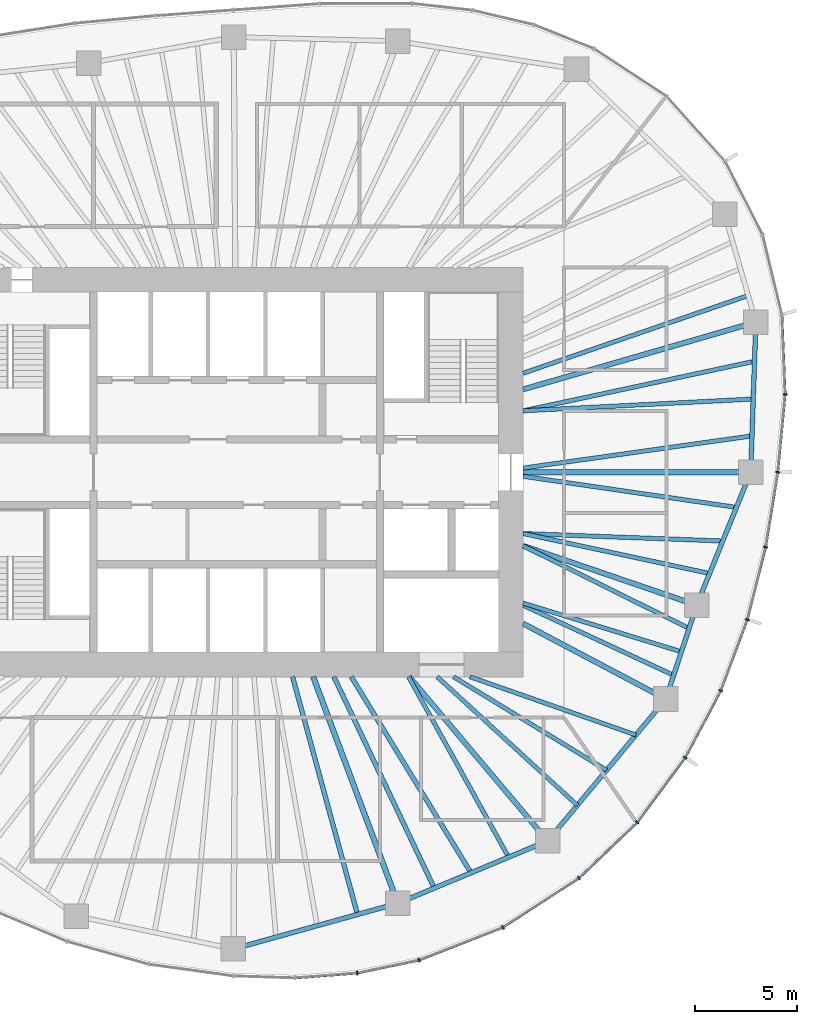
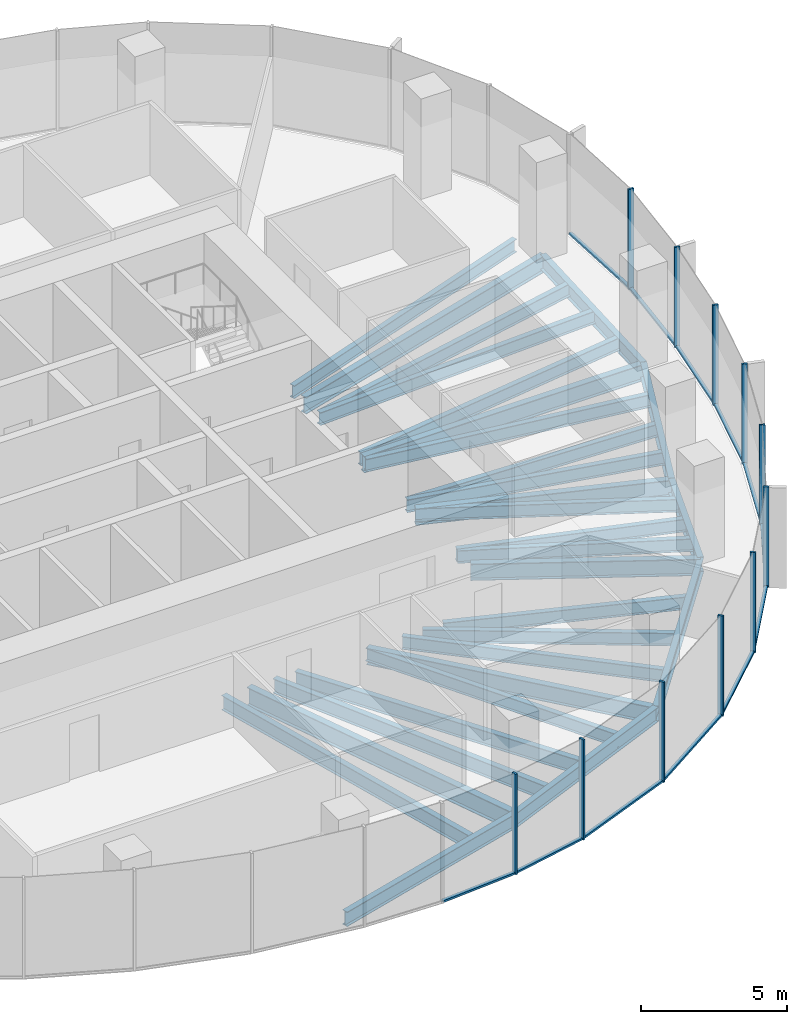
# One storey, part 4 of 11: 29 beams, 23 members, 6 elements without a shape of their own.
"""IFC4 building model written with IfcOpenShell, lengths in metres."""

from ifc_helpers import new_model, si_unit, direction, frame, origin, origin_2d, place, context, subcontext, project, spatial, rectangle, i_section, extrude, material, material_profile, profile_set, type_object, element, aggregate, save


model = new_model("IFC4")

# Units and contexts
model_context = context("Model", 3, precision=1e-05, world=origin(), true_north=direction((0.0, 1.0)))
body_context = subcontext(model_context, "Body", "Model", "MODEL_VIEW")
ifc_project = project(units=[si_unit("LENGTHUNIT", "METRE"), si_unit("AREAUNIT", "SQUARE_METRE"), si_unit("VOLUMEUNIT", "CUBIC_METRE"), si_unit("PLANEANGLEUNIT", "RADIAN"), si_unit("MASSUNIT", "GRAM", prefix="KILO")], contexts=[model_context])

# Site, building, storey
site_placement = place(None, origin())
site = spatial("IfcSite", under=ifc_project, at=site_placement, CompositionType="ELEMENT")
building_placement = place(site_placement, origin())
building = spatial("IfcBuilding", under=site, at=building_placement, Name="Ghaith Harvest Tower", CompositionType="ELEMENT")
storey_placement = place(building_placement, frame((0.0, 0.0, 245.199951171875)))
storey = spatial("IfcBuildingStorey", under=building, at=storey_placement, Name="L54", CompositionType="ELEMENT", Elevation=245.199951171875)

# Curtain wall, members
ifc_material_1 = material(Name="Black anodised aluminium and fritted glass", Category="aluminium")
curtain_wall_type = type_object("IfcCurtainWallType", Name="CW-H CURTAIN WALL", PredefinedType="NOTDEFINED", material=ifc_material_1)
curtain_wall_1_placement = place(storey_placement, origin())
curtain_wall_1 = element("IfcCurtainWall", 1, at=curtain_wall_1_placement, inside=storey, type_object=curtain_wall_type, Name="Curtain wall CW-H bay 01 L54", PredefinedType="NOTDEFINED")
ifc_material_2 = material(Name="Aluminium, black anodised", Category="aluminium")
ifc_material_profile_1 = material_profile(ifc_material_2, rectangle(XDim=0.080078125, YDim=0.199951171875, at=origin_2d()), Name="CW-H MULLION 80x200")
ifc_profile_set_1 = profile_set([ifc_material_profile_1], Name="Aluminium, black anodised")
member_type_1 = type_object("IfcMemberType", Name="CW-H MULLION 80x200", PredefinedType="MULLION", material=ifc_profile_set_1)
member_1_placement = place(storey_placement, frame((26.445068359375, 0.0, 0.0), z_axis=(0.0, 0.0, 1.0), x_axis=(0.126567624553, 0.991957981174, 0.0)))
member_1 = element("IfcMember", 2, at=member_1_placement, type_object=member_type_1, Name="CW-H mullion 1 bay 01 L54", PredefinedType="MULLION", context=body_context, shape_type="SweptSolid", body=[
    extrude(rectangle(XDim=0.080078125, YDim=0.199951171875, at=origin_2d()), origin(), (0.0, 0.0, 1.0), 4.199951171875),
])
member_2_placement = place(storey_placement, frame((26.804443359375, 3.7958984375, 0.0), z_axis=(0.0, 0.0, 1.0), x_axis=(0.026142797814, 0.999658218654, 0.0)))
member_2 = element("IfcMember", 3, at=member_2_placement, type_object=member_type_1, Name="CW-H mullion 2 bay 01 L54", PredefinedType="MULLION", context=body_context, shape_type="SweptSolid", body=[
    extrude(rectangle(XDim=0.080078125, YDim=0.199951171875, at=origin_2d()), origin(), (0.0, 0.0, 1.0), 4.199951171875),
])

# Curtain wall, member
curtain_wall_2_placement = place(storey_placement, origin())
curtain_wall_2 = element("IfcCurtainWall", 4, at=curtain_wall_2_placement, inside=storey, type_object=curtain_wall_type, Name="Curtain wall CW-H bay 16 L54", PredefinedType="NOTDEFINED")
member_3_placement = place(storey_placement, frame((5.893310546875, -24.48291015625, 0.0), z_axis=(0.0, 0.0, 1.0), x_axis=(0.989849191496, 0.142121701704, 0.0)))
member_3 = element("IfcMember", 5, at=member_3_placement, type_object=member_type_1, Name="CW-H mullion 3 bay 16 L54", PredefinedType="MULLION", context=body_context, shape_type="SweptSolid", body=[
    extrude(rectangle(XDim=0.080078125, YDim=0.199951171875, at=origin_2d()), origin(), (0.0, 0.0, 1.0), 4.199951171875),
])

# Curtain wall, members
curtain_wall_3_placement = place(storey_placement, origin())
curtain_wall_3 = element("IfcCurtainWall", 6, at=curtain_wall_3_placement, inside=storey, type_object=curtain_wall_type, Name="Curtain wall CW-H bay 17 L54", PredefinedType="NOTDEFINED")
member_4_placement = place(storey_placement, frame((8.916015625, -23.85009765625, 0.0), z_axis=(0.0, 0.0, 1.0), x_axis=(0.954029934434, 0.299711334793, 0.0)))
member_4 = element("IfcMember", 7, at=member_4_placement, type_object=member_type_1, Name="CW-H mullion 1 bay 17 L54", PredefinedType="MULLION", context=body_context, shape_type="SweptSolid", body=[
    extrude(rectangle(XDim=0.080078125, YDim=0.199951171875, at=origin_2d()), origin(), (0.0, 0.0, 1.0), 4.199951171875),
])
member_5_placement = place(storey_placement, frame((13.010009765625, -22.2470703125, 0.0), z_axis=(0.0, 0.0, 1.0), x_axis=(0.889568363425, 0.456802065225, 0.0)))
member_5 = element("IfcMember", 8, at=member_5_placement, type_object=member_type_1, Name="CW-H mullion 2 bay 17 L54", PredefinedType="MULLION", context=body_context, shape_type="SweptSolid", body=[
    extrude(rectangle(XDim=0.080078125, YDim=0.199951171875, at=origin_2d()), origin(), (0.0, 0.0, 1.0), 4.199951171875),
])

curtain_wall_4_placement = place(storey_placement, origin())
curtain_wall_4 = element("IfcCurtainWall", 9, at=curtain_wall_4_placement, inside=storey, type_object=curtain_wall_type, Name="Curtain wall CW-H bay 18 L54", PredefinedType="NOTDEFINED")
member_6_placement = place(storey_placement, frame((16.72900390625, -19.838134765625, 0.0), z_axis=(0.0, 0.0, 1.0), x_axis=(0.78784554071, 0.615872879727, 0.0)))
member_6 = element("IfcMember", 10, at=member_6_placement, type_object=member_type_1, Name="CW-H mullion 1 bay 18 L54", PredefinedType="MULLION", context=body_context, shape_type="SweptSolid", body=[
    extrude(rectangle(XDim=0.080078125, YDim=0.199951171875, at=origin_2d()), origin(), (0.0, 0.0, 1.0), 4.199951171875),
])
member_7_placement = place(storey_placement, frame((19.57421875, -17.11572265625, 0.0), z_axis=(0.0, 0.0, 1.0), x_axis=(0.661614965695, 0.749843741835, 0.0)))
member_7 = element("IfcMember", 11, at=member_7_placement, type_object=member_type_1, Name="CW-H mullion 2 bay 18 L54", PredefinedType="MULLION", context=body_context, shape_type="SweptSolid", body=[
    extrude(rectangle(XDim=0.080078125, YDim=0.199951171875, at=origin_2d()), origin(), (0.0, 0.0, 1.0), 4.199951171875),
])

curtain_wall_5_placement = place(storey_placement, origin())
curtain_wall_5 = element("IfcCurtainWall", 12, at=curtain_wall_5_placement, inside=storey, type_object=curtain_wall_type, Name="Curtain wall CW-H bay 19 L54", PredefinedType="NOTDEFINED")
member_8_placement = place(storey_placement, frame((21.922607421875, -13.951904296875, 0.0), z_axis=(0.0, 0.0, 1.0), x_axis=(0.535827198032, 0.844327669717, 0.0)))
member_8 = element("IfcMember", 13, at=member_8_placement, type_object=member_type_1, Name="CW-H mullion 1 bay 19 L54", PredefinedType="MULLION", context=body_context, shape_type="SweptSolid", body=[
    extrude(rectangle(XDim=0.080078125, YDim=0.199951171875, at=origin_2d()), origin(), (0.0, 0.0, 1.0), 4.199951171875),
])
member_9_placement = place(storey_placement, frame((23.658203125, -10.680419921875, 0.0), z_axis=(0.0, 0.0, 1.0), x_axis=(0.410429862351, 0.911892169114, 0.0)))
member_9 = element("IfcMember", 14, at=member_9_placement, type_object=member_type_1, Name="CW-H mullion 2 bay 19 L54", PredefinedType="MULLION", context=body_context, shape_type="SweptSolid", body=[
    extrude(rectangle(XDim=0.080078125, YDim=0.199951171875, at=origin_2d()), origin(), (0.0, 0.0, 1.0), 4.199951171875),
])

curtain_wall_6_placement = place(storey_placement, origin())
curtain_wall_6 = element("IfcCurtainWall", 15, at=curtain_wall_6_placement, inside=storey, type_object=curtain_wall_type, Name="Curtain wall CW-H bay 20 L54", PredefinedType="NOTDEFINED")
member_10_placement = place(storey_placement, frame((24.955810546875, -7.212890625, 0.0), z_axis=(0.0, 0.0, 1.0), x_axis=(0.298441625478, 0.954427889462, 0.0)))
member_10 = element("IfcMember", 16, at=member_10_placement, type_object=member_type_1, Name="CW-H mullion 1 bay 20 L54", PredefinedType="MULLION", context=body_context, shape_type="SweptSolid", body=[
    extrude(rectangle(XDim=0.080078125, YDim=0.199951171875, at=origin_2d()), origin(), (0.0, 0.0, 1.0), 4.199951171875),
])
member_11_placement = place(storey_placement, frame((25.85302734375, -3.6611328125, 0.0), z_axis=(0.0, 0.0, 1.0), x_axis=(0.202192370647, 0.979345825157, 0.0)))
member_11 = element("IfcMember", 17, at=member_11_placement, type_object=member_type_1, Name="CW-H mullion 2 bay 20 L54", PredefinedType="MULLION", context=body_context, shape_type="SweptSolid", body=[
    extrude(rectangle(XDim=0.080078125, YDim=0.199951171875, at=origin_2d()), origin(), (0.0, 0.0, 1.0), 4.199951171875),
])

# Member
ifc_material_3 = material(Name="Aluminium, black anodised", Category="aluminium")
ifc_material_profile_2 = material_profile(ifc_material_3, rectangle(XDim=0.1298828125, YDim=0.080078125, at=origin_2d()), Name="CW-H TRANSOM 130x80")
ifc_profile_set_2 = profile_set([ifc_material_profile_2], Name="Aluminium, black anodised")
member_type_2 = type_object("IfcMemberType", Name="CW-H TRANSOM 130x80", PredefinedType="USERDEFINED", material=ifc_profile_set_2)
member_12_placement = place(storey_placement, frame((26.44873046875, 0.039794921875, 0.0400390625), z_axis=(0.094309089207, 0.995542965267, 0.0), x_axis=(-0.995542965267, 0.094309089207, 0.0)))
member_12 = element("IfcMember", 18, at=member_12_placement, type_object=member_type_2, Name="CW-H transom 1 bay 01 L54", ObjectType="TRANSOM", PredefinedType="USERDEFINED", context=body_context, shape_type="SweptSolid", body=[
    extrude(rectangle(XDim=0.1298828125, YDim=0.080078125, at=origin_2d()), origin(), (0.0, 0.0, 1.0), 3.73291015625),
])

member_13_placement = place(storey_placement, frame((26.802978515625, 3.8359375, 0.0400390625), z_axis=(-0.040492641284, 0.999179836667, 0.0), x_axis=(-0.999179836667, -0.040492641284, 0.0)))
member_13 = element("IfcMember", 19, at=member_13_placement, type_object=member_type_2, Name="CW-H transom 2 bay 01 L54", ObjectType="TRANSOM", PredefinedType="USERDEFINED", context=body_context, shape_type="SweptSolid", body=[
    extrude(rectangle(XDim=0.1298828125, YDim=0.080078125, at=origin_2d()), origin(), (0.0, 0.0, 1.0), 3.82861328125),
])

aggregate(curtain_wall_1, [member_1, member_12, member_2, member_13])

member_14_placement = place(storey_placement, frame((2.8876953125, -24.71826171875, 0.0400390625), z_axis=(0.996949781933, 0.078045706505, 0.0), x_axis=(-0.078045706505, 0.996949781933, 0.0)))
member_14 = element("IfcMember", 20, at=member_14_placement, type_object=member_type_2, Name="CW-H transom 2 bay 16 L54", ObjectType="TRANSOM", PredefinedType="USERDEFINED", context=body_context, shape_type="SweptSolid", body=[
    extrude(rectangle(XDim=0.1298828125, YDim=0.080078125, at=origin_2d()), origin(), (0.0, 0.0, 1.0), 2.974853515625),
])

member_15_placement = place(storey_placement, frame((5.932373046875, -24.474609375, 0.0400390625), z_axis=(0.978797058213, 0.204832416461, 0.0), x_axis=(-0.204832416461, 0.978797058213, 0.0)))
member_15 = element("IfcMember", 21, at=member_15_placement, type_object=member_type_2, Name="CW-H transom 3 bay 16 L54", ObjectType="TRANSOM", PredefinedType="USERDEFINED", context=body_context, shape_type="SweptSolid", body=[
    extrude(rectangle(XDim=0.1298828125, YDim=0.080078125, at=origin_2d()), origin(), (0.0, 0.0, 1.0), 3.00830078125),
])

aggregate(curtain_wall_2, [member_14, member_3, member_15])

member_16_placement = place(storey_placement, frame((8.953369140625, -23.835693359375, 0.0400390625), z_axis=(0.931147615871, 0.364642451529, 0.0), x_axis=(-0.364642451529, 0.931147615871, 0.0)))
member_16 = element("IfcMember", 22, at=member_16_placement, type_object=member_type_2, Name="CW-H transom 1 bay 17 L54", ObjectType="TRANSOM", PredefinedType="USERDEFINED", context=body_context, shape_type="SweptSolid", body=[
    extrude(rectangle(XDim=0.1298828125, YDim=0.080078125, at=origin_2d()), origin(), (0.0, 0.0, 1.0), 4.31640625),
])

member_17_placement = place(storey_placement, frame((13.04345703125, -22.225341796875, 0.0400390625), z_axis=(0.839306610985, 0.543658360331, 0.0), x_axis=(-0.543658360331, 0.839306610985, 0.0)))
member_17 = element("IfcMember", 23, at=member_17_placement, type_object=member_type_2, Name="CW-H transom 2 bay 17 L54", ObjectType="TRANSOM", PredefinedType="USERDEFINED", context=body_context, shape_type="SweptSolid", body=[
    extrude(rectangle(XDim=0.1298828125, YDim=0.080078125, at=origin_2d()), origin(), (0.0, 0.0, 1.0), 4.35107421875),
])

aggregate(curtain_wall_3, [member_4, member_16, member_5, member_17])

member_18_placement = place(storey_placement, frame((16.7578125, -19.810546875, 0.0400390625), z_axis=(0.722533278657, 0.691336141998, 0.0), x_axis=(-0.691336141998, 0.722533278657, 0.0)))
member_18 = element("IfcMember", 24, at=member_18_placement, type_object=member_type_2, Name="CW-H transom 1 bay 18 L54", ObjectType="TRANSOM", PredefinedType="USERDEFINED", context=body_context, shape_type="SweptSolid", body=[
    extrude(rectangle(XDim=0.1298828125, YDim=0.080078125, at=origin_2d()), origin(), (0.0, 0.0, 1.0), 3.858154296875),
])

member_19_placement = place(storey_placement, frame((19.59814453125, -17.083740234375, 0.0400390625), z_axis=(0.595995597074, 0.802987701194, 0.0), x_axis=(-0.802987701194, 0.595995597074, 0.0)))
member_19 = element("IfcMember", 25, at=member_19_placement, type_object=member_type_2, Name="CW-H transom 2 bay 18 L54", ObjectType="TRANSOM", PredefinedType="USERDEFINED", context=body_context, shape_type="SweptSolid", body=[
    extrude(rectangle(XDim=0.1298828125, YDim=0.080078125, at=origin_2d()), origin(), (0.0, 0.0, 1.0), 3.8603515625),
])

aggregate(curtain_wall_4, [member_6, member_18, member_7, member_19])

member_20_placement = place(storey_placement, frame((21.94140625, -13.91650390625, 0.0400390625), z_axis=(0.468646057757, 0.883386026915, 0.0), x_axis=(-0.883386026915, 0.468646057757, 0.0)))
member_20 = element("IfcMember", 26, at=member_20_placement, type_object=member_type_2, Name="CW-H transom 1 bay 19 L54", ObjectType="TRANSOM", PredefinedType="USERDEFINED", context=body_context, shape_type="SweptSolid", body=[
    extrude(rectangle(XDim=0.1298828125, YDim=0.080078125, at=origin_2d()), origin(), (0.0, 0.0, 1.0), 3.623291015625),
])

member_21_placement = place(storey_placement, frame((23.672119140625, -10.64306640625, 0.0400390625), z_axis=(0.350510368091, 0.936558851253, 0.0), x_axis=(-0.936558851253, 0.350510368091, 0.0)))
member_21 = element("IfcMember", 27, at=member_21_placement, type_object=member_type_2, Name="CW-H transom 2 bay 19 L54", ObjectType="TRANSOM", PredefinedType="USERDEFINED", context=body_context, shape_type="SweptSolid", body=[
    extrude(rectangle(XDim=0.1298828125, YDim=0.080078125, at=origin_2d()), origin(), (0.0, 0.0, 1.0), 3.62255859375),
])

aggregate(curtain_wall_5, [member_8, member_20, member_9, member_21])

member_22_placement = place(storey_placement, frame((24.965576171875, -7.174072265625, 0.0400390625), z_axis=(0.244939588347, 0.969538342749, 0.0), x_axis=(-0.969538342749, 0.244939588347, 0.0)))
member_22 = element("IfcMember", 28, at=member_22_placement, type_object=member_type_2, Name="CW-H transom 1 bay 20 L54", ObjectType="TRANSOM", PredefinedType="USERDEFINED", context=body_context, shape_type="SweptSolid", body=[
    extrude(rectangle(XDim=0.1298828125, YDim=0.080078125, at=origin_2d()), origin(), (0.0, 0.0, 1.0), 3.583251953125),
])

member_23_placement = place(storey_placement, frame((25.859375, -3.62158203125, 0.0400390625), z_axis=(0.159661845696, 0.987171765717, 0.0), x_axis=(-0.987171765717, 0.159661845696, 0.0)))
member_23 = element("IfcMember", 29, at=member_23_placement, type_object=member_type_2, Name="CW-H transom 2 bay 20 L54", ObjectType="TRANSOM", PredefinedType="USERDEFINED", context=body_context, shape_type="SweptSolid", body=[
    extrude(rectangle(XDim=0.1298828125, YDim=0.080078125, at=origin_2d()), origin(), (0.0, 0.0, 1.0), 3.628662109375),
])

aggregate(curtain_wall_6, [member_10, member_22, member_11, member_23])

# Beams
ifc_material_4 = material(Name="Steel ASTM A992 Grade 50", Category="steel")
ifc_material_profile_3 = material_profile(ifc_material_4, i_section(OverallWidth=0.22900390625, OverallDepth=0.612060546875, WebThickness=0.011962890625, FlangeThickness=0.01953125, at=origin_2d()), Name="W610X125")
ifc_profile_set_3 = profile_set([ifc_material_profile_3], Name="Steel ASTM A992 Grade 50")
beam_type_1 = type_object("IfcBeamType", Name="E610-125 W610X125", PredefinedType="SPANDREL", material=ifc_profile_set_3)
beam_1_placement = place(storey_placement, frame((25.125, 0.0, -0.475830078125), z_axis=(0.03446227584, 0.999405999354, 0.0), x_axis=(-0.999405999354, 0.03446227584, 0.0)))
element("IfcBeam", 30, at=beam_1_placement, inside=storey, type_object=beam_type_1, Name="Edge beam E01 L54", PredefinedType="SPANDREL", context=body_context, shape_type="SweptSolid", body=[
    extrude(i_section(OverallWidth=0.22900390625, OverallDepth=0.612060546875, WebThickness=0.011962890625, FlangeThickness=0.01953125, at=origin_2d()), origin(), (0.0, 0.0, 1.0), 7.33935546875),
])
beam_2_placement = place(storey_placement, frame((-0.158935546875, -23.304931640625, -0.475830078125), z_axis=(0.963504070594, 0.267693679323, 0.0), x_axis=(-0.267693679323, 0.963504070594, 0.0)))
element("IfcBeam", 31, at=beam_2_placement, inside=storey, type_object=beam_type_1, Name="Edge beam E16 L54", PredefinedType="SPANDREL", context=body_context, shape_type="SweptSolid", body=[
    extrude(i_section(OverallWidth=0.22900390625, OverallDepth=0.612060546875, WebThickness=0.011962890625, FlangeThickness=0.01953125, at=origin_2d()), origin(), (0.0, 0.0, 1.0), 8.34130859375),
])
beam_3_placement = place(storey_placement, frame((7.8779296875, -21.072021484375, -0.475830078125), z_axis=(0.923119729219, 0.384512633766, 0.0), x_axis=(-0.384512633766, 0.923119729219, 0.0)))
element("IfcBeam", 32, at=beam_3_placement, inside=storey, type_object=beam_type_1, Name="Edge beam E17 L54", PredefinedType="SPANDREL", context=body_context, shape_type="SweptSolid", body=[
    extrude(i_section(OverallWidth=0.22900390625, OverallDepth=0.612060546875, WebThickness=0.011962890625, FlangeThickness=0.01953125, at=origin_2d()), origin(), (0.0, 0.0, 1.0), 7.9296875),
])
beam_4_placement = place(storey_placement, frame((15.197998046875, -18.02294921875, -0.475830078125), z_axis=(0.640173759088, 0.76823014662, 0.0), x_axis=(-0.76823014662, 0.640173759088, 0.0)))
element("IfcBeam", 33, at=beam_4_placement, inside=storey, type_object=beam_type_1, Name="Edge beam E18 L54", PredefinedType="SPANDREL", context=body_context, shape_type="SweptSolid", body=[
    extrude(i_section(OverallWidth=0.22900390625, OverallDepth=0.612060546875, WebThickness=0.011962890625, FlangeThickness=0.01953125, at=origin_2d()), origin(), (0.0, 0.0, 1.0), 9.02734375),
])
beam_5_placement = place(storey_placement, frame((20.97705078125, -11.087890625, -0.475830078125), z_axis=(0.312206727278, 0.950014189074, 0.0), x_axis=(-0.950014189074, 0.312206727278, 0.0)))
element("IfcBeam", 34, at=beam_5_placement, inside=storey, type_object=beam_type_1, Name="Edge beam E19 L54", PredefinedType="SPANDREL", context=body_context, shape_type="SweptSolid", body=[
    extrude(i_section(OverallWidth=0.22900390625, OverallDepth=0.612060546875, WebThickness=0.011962890625, FlangeThickness=0.01953125, at=origin_2d()), origin(), (0.0, 0.0, 1.0), 4.830322265625),
])
beam_6_placement = place(storey_placement, frame((22.485107421875, -6.4990234375, -0.475830078125), z_axis=(0.376335970246, 0.926483263475, 0.0), x_axis=(-0.926483263475, 0.376335970246, 0.0)))
element("IfcBeam", 35, at=beam_6_placement, inside=storey, type_object=beam_type_1, Name="Edge beam E20 L54", PredefinedType="SPANDREL", context=body_context, shape_type="SweptSolid", body=[
    extrude(i_section(OverallWidth=0.22900390625, OverallDepth=0.612060546875, WebThickness=0.011962890625, FlangeThickness=0.01953125, at=origin_2d()), origin(), (0.0, 0.0, 1.0), 7.0146484375),
])
ifc_material_5 = material(Name="Steel ASTM A992 Grade 50", Category="steel")
ifc_material_profile_4 = material_profile(ifc_material_5, i_section(OverallWidth=0.256103515625, OverallDepth=0.693115234375, WebThickness=0.014404296875, FlangeThickness=0.023681640625, at=origin_2d()), Name="W690X170")
ifc_profile_set_4 = profile_set([ifc_material_profile_4], Name="Steel ASTM A992 Grade 50")
beam_type_2 = type_object("IfcBeamType", Name="G690-170 W690X170", PredefinedType="BEAM", material=ifc_profile_set_4)
beam_7_placement = place(storey_placement, frame((14.0, 0.0, -0.516357421875), z_axis=(1.0, 0.0, 0.0), x_axis=(0.0, 1.0, 0.0)))
element("IfcBeam", 36, at=beam_7_placement, inside=storey, type_object=beam_type_2, Name="Radial girder G01 L54", PredefinedType="BEAM", context=body_context, shape_type="SweptSolid", body=[
    extrude(i_section(OverallWidth=0.256103515625, OverallDepth=0.693115234375, WebThickness=0.014404296875, FlangeThickness=0.023681640625, at=origin_2d()), origin(), (0.0, 0.0, 1.0), 11.125),
])
beam_8_placement = place(storey_placement, frame((14.0, 4.04638671875, -0.516357421875), z_axis=(0.960677776578, 0.277665643518, 0.0), x_axis=(-0.277665643518, 0.960677776578, 0.0)))
element("IfcBeam", 37, at=beam_8_placement, inside=storey, type_object=beam_type_2, Name="Radial girder G02 L54", PredefinedType="BEAM", context=body_context, shape_type="SweptSolid", body=[
    extrude(i_section(OverallWidth=0.256103515625, OverallDepth=0.693115234375, WebThickness=0.014404296875, FlangeThickness=0.023681640625, at=origin_2d()), origin(), (0.0, 0.0, 1.0), 11.84375),
])
beam_9_placement = place(storey_placement, frame((8.4326171875, -10.0, -0.516357421875), z_axis=(0.644649240595, -0.764478486682, 0.0), x_axis=(0.764478486682, 0.644649240595, 0.0)))
element("IfcBeam", 38, at=beam_9_placement, inside=storey, type_object=beam_type_2, Name="Radial girder G18 L54", PredefinedType="BEAM", context=body_context, shape_type="SweptSolid", body=[
    extrude(i_section(OverallWidth=0.256103515625, OverallDepth=0.693115234375, WebThickness=0.014404296875, FlangeThickness=0.023681640625, at=origin_2d()), origin(), (0.0, 0.0, 1.0), 10.49462890625),
])
beam_10_placement = place(storey_placement, frame((14.0, -7.39990234375, -0.516357421875), z_axis=(0.884088732293, -0.467319070264, 0.0), x_axis=(0.467319070264, 0.884088732293, 0.0)))
element("IfcBeam", 39, at=beam_10_placement, inside=storey, type_object=beam_type_2, Name="Radial girder G19 L54", PredefinedType="BEAM", context=body_context, shape_type="SweptSolid", body=[
    extrude(i_section(OverallWidth=0.256103515625, OverallDepth=0.693115234375, WebThickness=0.014404296875, FlangeThickness=0.023681640625, at=origin_2d()), origin(), (0.0, 0.0, 1.0), 7.891845703125),
])
beam_11_placement = place(storey_placement, frame((14.0, -3.60009765625, -0.516357421875), z_axis=(0.94629622913, -0.323300861018, 0.0), x_axis=(0.323300861018, 0.94629622913, 0.0)))
element("IfcBeam", 40, at=beam_11_placement, inside=storey, type_object=beam_type_2, Name="Radial girder G20 L54", PredefinedType="BEAM", context=body_context, shape_type="SweptSolid", body=[
    extrude(i_section(OverallWidth=0.256103515625, OverallDepth=0.693115234375, WebThickness=0.014404296875, FlangeThickness=0.023681640625, at=origin_2d()), origin(), (0.0, 0.0, 1.0), 8.966552734375),
])
ifc_material_6 = material(Name="Steel ASTM A992 Grade 50", Category="steel")
ifc_material_profile_5 = material_profile(ifc_material_6, i_section(OverallWidth=0.26806640625, OverallDepth=0.77001953125, WebThickness=0.015625, FlangeThickness=0.025390625, at=origin_2d()), Name="W760X196")
ifc_profile_set_5 = profile_set([ifc_material_profile_5], Name="Steel ASTM A992 Grade 50")
beam_type_3 = type_object("IfcBeamType", Name="G760-196 W760X196", PredefinedType="BEAM", material=ifc_profile_set_5)
beam_12_placement = place(storey_placement, frame((3.73828125, -10.0, -0.554931640625), z_axis=(0.350206582147, -0.936672488024, 0.0), x_axis=(0.936672488024, 0.350206582147, 0.0)))
element("IfcBeam", 41, at=beam_12_placement, inside=storey, type_object=beam_type_3, Name="Radial girder G17 L54", PredefinedType="BEAM", context=body_context, shape_type="SweptSolid", body=[
    extrude(i_section(OverallWidth=0.26806640625, OverallDepth=0.77001953125, WebThickness=0.015625, FlangeThickness=0.025390625, at=origin_2d()), origin(), (0.0, 0.0, 1.0), 11.820556640625),
])
ifc_material_7 = material(Name="Steel ASTM A992 Grade 50", Category="steel")
ifc_material_profile_6 = material_profile(ifc_material_7, i_section(OverallWidth=0.2109375, OverallDepth=0.5390625, WebThickness=0.01171875, FlangeThickness=0.018798828125, at=origin_2d()), Name="W530X109")
ifc_profile_set_6 = profile_set([ifc_material_profile_6], Name="Steel ASTM A992 Grade 50")
beam_type_4 = type_object("IfcBeamType", Name="J530-109 W530X109", PredefinedType="JOIST", material=ifc_profile_set_6)
beam_13_placement = place(storey_placement, frame((14.0, 0.199951171875, -0.439453125), z_axis=(0.990239574724, 0.139375696052, 0.0), x_axis=(-0.139375696052, 0.990239574724, 0.0)))
element("IfcBeam", 42, at=beam_13_placement, inside=storey, type_object=beam_type_4, Name="Joist J01.1 L54", PredefinedType="JOIST", context=body_context, shape_type="SweptSolid", body=[
    extrude(i_section(OverallWidth=0.2109375, OverallDepth=0.5390625, WebThickness=0.01171875, FlangeThickness=0.018798828125, at=origin_2d()), origin(), (0.0, 0.0, 1.0), 11.296630859375),
])
beam_14_placement = place(storey_placement, frame((14.0, 3.0, -0.439453125), z_axis=(0.998693995267, 0.051091132482, 0.0), x_axis=(-0.051091132482, 0.998693995267, 0.0)))
element("IfcBeam", 43, at=beam_14_placement, inside=storey, type_object=beam_type_4, Name="Joist J01.2 L54", PredefinedType="JOIST", context=body_context, shape_type="SweptSolid", body=[
    extrude(i_section(OverallWidth=0.2109375, OverallDepth=0.5390625, WebThickness=0.01171875, FlangeThickness=0.018798828125, at=origin_2d()), origin(), (0.0, 0.0, 1.0), 11.262939453125),
])
beam_15_placement = place(storey_placement, frame((14.0, 3.0, -0.439453125), z_axis=(0.977840076912, 0.209353251672, 0.0), x_axis=(-0.209353251672, 0.977840076912, 0.0)))
element("IfcBeam", 44, at=beam_15_placement, inside=storey, type_object=beam_type_4, Name="Joist J01.3 L54", PredefinedType="JOIST", context=body_context, shape_type="SweptSolid", body=[
    extrude(i_section(OverallWidth=0.2109375, OverallDepth=0.5390625, WebThickness=0.01171875, FlangeThickness=0.018798828125, at=origin_2d()), origin(), (0.0, 0.0, 1.0), 11.568359375),
])
beam_16_placement = place(storey_placement, frame((14.0, 4.835693359375, -0.439453125), z_axis=(0.945202328042, 0.326485159025, 0.0), x_axis=(-0.326485159025, 0.945202328042, 0.0)))
element("IfcBeam", 45, at=beam_16_placement, inside=storey, type_object=beam_type_4, Name="Joist J02.1 L54", PredefinedType="JOIST", context=body_context, shape_type="SweptSolid", body=[
    extrude(i_section(OverallWidth=0.2109375, OverallDepth=0.5390625, WebThickness=0.01171875, FlangeThickness=0.018798828125, at=origin_2d()), origin(), (0.0, 0.0, 1.0), 11.63916015625),
])
beam_17_placement = place(storey_placement, frame((8.39990234375, -10.0, -0.439453125), z_axis=(0.484919107871, -0.874559008199, 0.0), x_axis=(0.874559008199, 0.484919107871, 0.0)))
element("IfcBeam", 46, at=beam_17_placement, inside=storey, type_object=beam_type_4, Name="Joist J17.3 L54", PredefinedType="JOIST", context=body_context, shape_type="SweptSolid", body=[
    extrude(i_section(OverallWidth=0.2109375, OverallDepth=0.5390625, WebThickness=0.01171875, FlangeThickness=0.018798828125, at=origin_2d()), origin(), (0.0, 0.0, 1.0), 10.0830078125),
])
beam_18_placement = place(storey_placement, frame((9.800048828125, -10.0, -0.439453125), z_axis=(0.736998187228, -0.675894719629, 0.0), x_axis=(0.675894719629, 0.736998187228, 0.0)))
element("IfcBeam", 47, at=beam_18_placement, inside=storey, type_object=beam_type_4, Name="Joist J18.1 L54", PredefinedType="JOIST", context=body_context, shape_type="SweptSolid", body=[
    extrude(i_section(OverallWidth=0.2109375, OverallDepth=0.5390625, WebThickness=0.01171875, FlangeThickness=0.018798828125, at=origin_2d()), origin(), (0.0, 0.0, 1.0), 9.293701171875),
])
beam_19_placement = place(storey_placement, frame((14.0, -3.0, -0.439453125), z_axis=(0.977841497168, -0.209346617877, 0.0), x_axis=(0.209346617877, 0.977841497168, 0.0)))
element("IfcBeam", 48, at=beam_19_placement, inside=storey, type_object=beam_type_4, Name="Joist J20.1 L54", PredefinedType="JOIST", context=body_context, shape_type="SweptSolid", body=[
    extrude(i_section(OverallWidth=0.2109375, OverallDepth=0.5390625, WebThickness=0.01171875, FlangeThickness=0.018798828125, at=origin_2d()), origin(), (0.0, 0.0, 1.0), 9.3203125),
])
beam_20_placement = place(storey_placement, frame((14.0, -3.0, -0.439453125), z_axis=(0.999303105315, -0.037326983644, 0.0), x_axis=(0.037326983644, 0.999303105315, 0.0)))
element("IfcBeam", 49, at=beam_20_placement, inside=storey, type_object=beam_type_4, Name="Joist J20.2 L54", PredefinedType="JOIST", context=body_context, shape_type="SweptSolid", body=[
    extrude(i_section(OverallWidth=0.2109375, OverallDepth=0.5390625, WebThickness=0.01171875, FlangeThickness=0.018798828125, at=origin_2d()), origin(), (0.0, 0.0, 1.0), 9.76513671875),
])
beam_21_placement = place(storey_placement, frame((14.0, -0.199951171875, -0.439453125), z_axis=(0.989525259022, -0.144359834294, 0.0), x_axis=(0.144359834294, 0.989525259022, 0.0)))
element("IfcBeam", 50, at=beam_21_placement, inside=storey, type_object=beam_type_4, Name="Joist J20.3 L54", PredefinedType="JOIST", context=body_context, shape_type="SweptSolid", body=[
    extrude(i_section(OverallWidth=0.2109375, OverallDepth=0.5390625, WebThickness=0.01171875, FlangeThickness=0.018798828125, at=origin_2d()), origin(), (0.0, 0.0, 1.0), 10.5361328125),
])
ifc_material_8 = material(Name="Steel ASTM A992 Grade 50", Category="steel")
ifc_material_profile_7 = material_profile(ifc_material_8, i_section(OverallWidth=0.208984375, OverallDepth=0.532958984375, WebThickness=0.01025390625, FlangeThickness=0.015625, at=origin_2d()), Name="W530X92")
ifc_profile_set_7 = profile_set([ifc_material_profile_7], Name="Steel ASTM A992 Grade 50")
beam_type_5 = type_object("IfcBeamType", Name="J530-92 W530X92", PredefinedType="JOIST", material=ifc_profile_set_7)
beam_22_placement = place(storey_placement, frame((10.60009765625, -10.0, -0.4365234375), z_axis=(0.853467052113, -0.521146803654, 0.0), x_axis=(0.521146803654, 0.853467052113, 0.0)))
element("IfcBeam", 51, at=beam_22_placement, inside=storey, type_object=beam_type_5, Name="Joist J18.2 L54", PredefinedType="JOIST", context=body_context, shape_type="SweptSolid", body=[
    extrude(i_section(OverallWidth=0.208984375, OverallDepth=0.532958984375, WebThickness=0.01025390625, FlangeThickness=0.015625, at=origin_2d()), origin(), (0.0, 0.0, 1.0), 8.76220703125),
])
beam_23_placement = place(storey_placement, frame((11.39990234375, -10.0, -0.4365234375), z_axis=(0.943605274188, -0.331072630285, 0.0), x_axis=(0.331072630285, 0.943605274188, 0.0)))
element("IfcBeam", 52, at=beam_23_placement, inside=storey, type_object=beam_type_5, Name="Joist J18.3 L54", PredefinedType="JOIST", context=body_context, shape_type="SweptSolid", body=[
    extrude(i_section(OverallWidth=0.208984375, OverallDepth=0.532958984375, WebThickness=0.01025390625, FlangeThickness=0.015625, at=origin_2d()), origin(), (0.0, 0.0, 1.0), 8.596923828125),
])
beam_24_placement = place(storey_placement, frame((14.0, -6.506103515625, -0.4365234375), z_axis=(0.906865270415, -0.421420670251, 0.0), x_axis=(0.421420670251, 0.906865270415, 0.0)))
element("IfcBeam", 53, at=beam_24_placement, inside=storey, type_object=beam_type_5, Name="Joist J19.1 L54", PredefinedType="JOIST", context=body_context, shape_type="SweptSolid", body=[
    extrude(i_section(OverallWidth=0.208984375, OverallDepth=0.532958984375, WebThickness=0.01025390625, FlangeThickness=0.015625, at=origin_2d()), origin(), (0.0, 0.0, 1.0), 8.11474609375),
])
beam_25_placement = place(storey_placement, frame((14.0, -6.39990234375, -0.4365234375), z_axis=(0.955870927609, -0.293786946192, 0.0), x_axis=(0.293786946192, 0.955870927609, 0.0)))
element("IfcBeam", 54, at=beam_25_placement, inside=storey, type_object=beam_type_5, Name="Joist J19.2 L54", PredefinedType="JOIST", context=body_context, shape_type="SweptSolid", body=[
    extrude(i_section(OverallWidth=0.208984375, OverallDepth=0.532958984375, WebThickness=0.01025390625, FlangeThickness=0.015625, at=origin_2d()), origin(), (0.0, 0.0, 1.0), 8.09326171875),
])
beam_26_placement = place(storey_placement, frame((14.0, -3.60009765625, -0.4365234375), z_axis=(0.89523949078, -0.445585293909, 0.0), x_axis=(0.445585293909, 0.89523949078, 0.0)))
element("IfcBeam", 55, at=beam_26_placement, inside=storey, type_object=beam_type_5, Name="Joist J19.3 L54", PredefinedType="JOIST", context=body_context, shape_type="SweptSolid", body=[
    extrude(i_section(OverallWidth=0.208984375, OverallDepth=0.532958984375, WebThickness=0.01025390625, FlangeThickness=0.015625, at=origin_2d()), origin(), (0.0, 0.0, 1.0), 9.060302734375),
])
ifc_material_9 = material(Name="Steel ASTM A992 Grade 50", Category="steel")
ifc_material_profile_8 = material_profile(ifc_material_9, i_section(OverallWidth=0.22900390625, OverallDepth=0.612060546875, WebThickness=0.011962890625, FlangeThickness=0.01953125, at=origin_2d()), Name="W610X125")
ifc_profile_set_8 = profile_set([ifc_material_profile_8], Name="Steel ASTM A992 Grade 50")
beam_type_6 = type_object("IfcBeamType", Name="J610-125 W610X125", PredefinedType="JOIST", material=ifc_profile_set_8)
beam_27_placement = place(storey_placement, frame((2.73095703125, -10.0, -0.475830078125), z_axis=(0.263456947705, -0.964671154698, 0.0), x_axis=(0.964671154698, 0.263456947705, 0.0)))
element("IfcBeam", 56, at=beam_27_placement, inside=storey, type_object=beam_type_6, Name="Joist J16.3 L54", PredefinedType="JOIST", context=body_context, shape_type="SweptSolid", body=[
    extrude(i_section(OverallWidth=0.22900390625, OverallDepth=0.612060546875, WebThickness=0.011962890625, FlangeThickness=0.01953125, at=origin_2d()), origin(), (0.0, 0.0, 1.0), 12.0458984375),
])
beam_28_placement = place(storey_placement, frame((4.75, -10.0, -0.475830078125), z_axis=(0.429080762264, -0.90326612881, 0.0), x_axis=(0.90326612881, 0.429080762264, 0.0)))
element("IfcBeam", 57, at=beam_28_placement, inside=storey, type_object=beam_type_6, Name="Joist J17.1 L54", PredefinedType="JOIST", context=body_context, shape_type="SweptSolid", body=[
    extrude(i_section(OverallWidth=0.22900390625, OverallDepth=0.612060546875, WebThickness=0.011962890625, FlangeThickness=0.01953125, at=origin_2d()), origin(), (0.0, 0.0, 1.0), 11.437255859375),
])
beam_29_placement = place(storey_placement, frame((5.60009765625, -10.0, -0.475830078125), z_axis=(0.521165912119, -0.853455383746, 0.0), x_axis=(0.853455383746, 0.521165912119, 0.0)))
element("IfcBeam", 58, at=beam_29_placement, inside=storey, type_object=beam_type_6, Name="Joist J17.2 L54", PredefinedType="JOIST", context=body_context, shape_type="SweptSolid", body=[
    extrude(i_section(OverallWidth=0.22900390625, OverallDepth=0.612060546875, WebThickness=0.011962890625, FlangeThickness=0.01953125, at=origin_2d()), origin(), (0.0, 0.0, 1.0), 11.228759765625),
])

save(model, "model.ifc")
